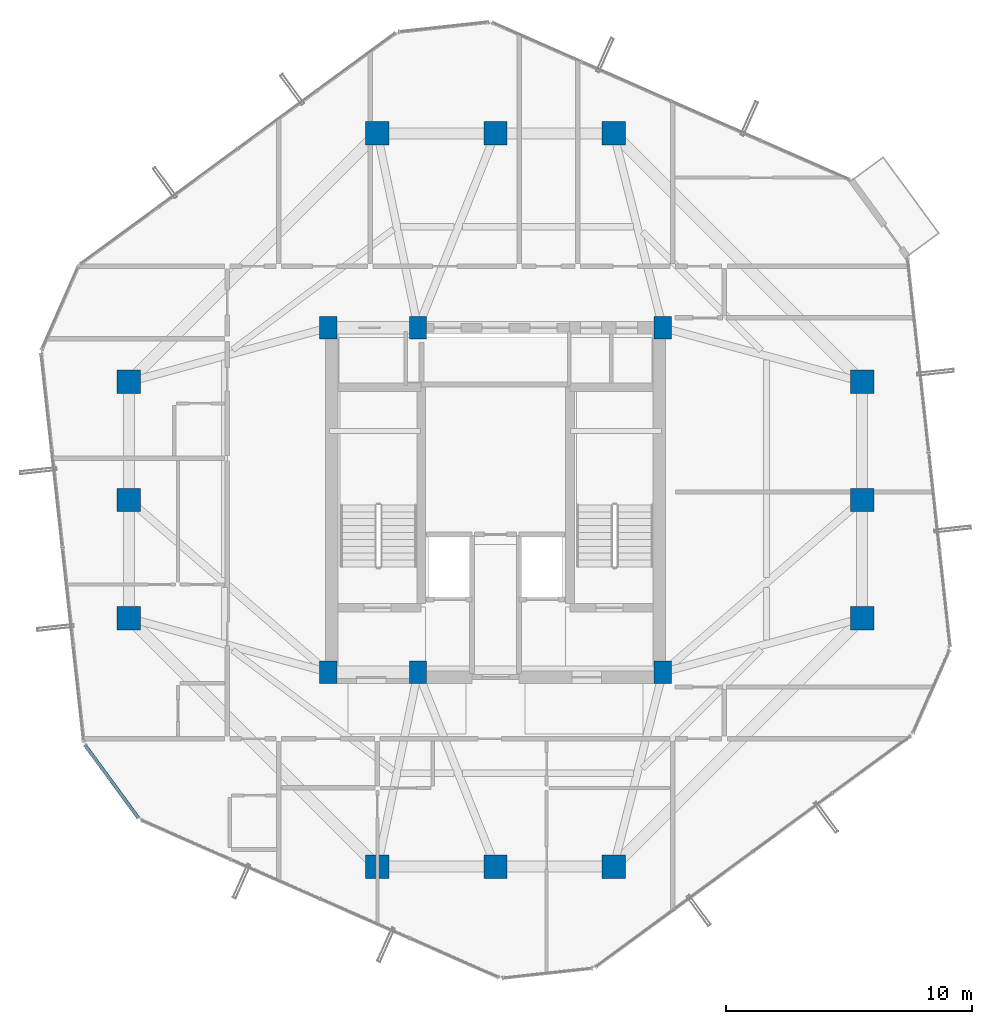
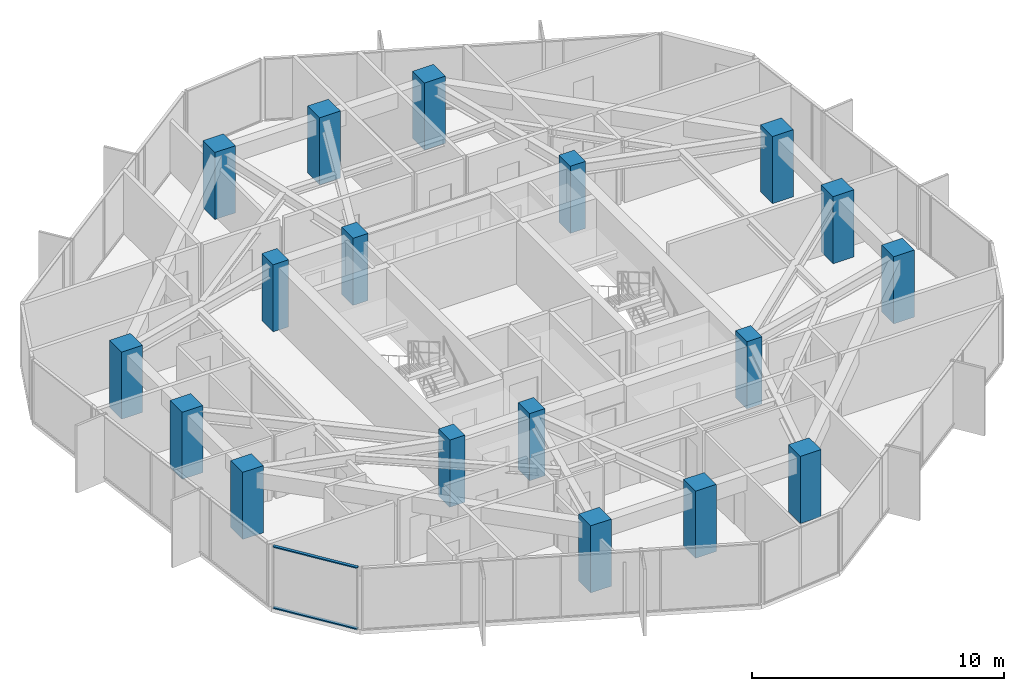
# One storey, part 1 of 32: 18 columns, 2 members, 1 element without a shape of its own.
"""IFC4 building model written with IfcOpenShell, lengths in metres."""

from ifc_helpers import new_model, si_unit, direction, frame, origin, origin_2d, place, context, subcontext, project, spatial, rectangle, hollow_rectangle, extrude, source, transform, mapped, material, layer, layer_set, material_profile, profile_set, type_object, element, aggregate, save


model = new_model("IFC4")

# Units and contexts
model_context = context("Model", 3, precision=1e-05, world=origin(), true_north=direction((0.0, 1.0)))
body_context = subcontext(model_context, "Body", "Model", "MODEL_VIEW")
ifc_project = project(units=[si_unit("LENGTHUNIT", "METRE"), si_unit("AREAUNIT", "SQUARE_METRE"), si_unit("VOLUMEUNIT", "CUBIC_METRE"), si_unit("PLANEANGLEUNIT", "RADIAN"), si_unit("MASSUNIT", "GRAM", prefix="KILO")], contexts=[model_context])

# Site, building, storey
site_placement = place(None, origin())
site = spatial("IfcSite", under=ifc_project, at=site_placement, CompositionType="ELEMENT")
building_placement = place(site_placement, origin())
building = spatial("IfcBuilding", under=site, at=building_placement, Name="Veraguas Prism Commons", CompositionType="ELEMENT")
storey_placement = place(building_placement, frame((0.0, 0.0, 185.35009765625)))
storey = spatial("IfcBuildingStorey", under=building, at=storey_placement, Name="L52", CompositionType="ELEMENT", Elevation=185.35009765625)

# Columns
ifc_material_1 = material(Name="Concrete C50/60", Category="concrete")
ifc_material_profile_1 = material_profile(ifc_material_1, rectangle(XDim=0.949951171875, YDim=0.949951171875, at=origin_2d()), Name="RC950X950")
ifc_profile_set_1 = profile_set([ifc_material_profile_1], Name="Concrete C50/60")
column_type_1 = type_object("IfcColumnType", Name="Column Tube Z3 RC 950x950", PredefinedType="COLUMN", material=ifc_profile_set_1)
for number, where, z_axis, x_axis, name in (
    (1, (38.89990234375, 19.199951171875, 0.0), (0.0, 0.0, 1.0), (1.0, 0.0, 0.0), "Tower Perimeter Column L52-TB01"),
    (2, (38.89990234375, 24.0, 0.0), (0.0, 0.0, 1.0), (1.0, 0.0, 0.0), "Tower Perimeter Column L52-TB02"),
    (3, (38.89990234375, 28.800048828125, 0.0), (0.0, 0.0, 1.0), (1.0, 0.0, 0.0), "Tower Perimeter Column L52-TB03"),
    (4, (28.800048828125, 38.89990234375, 0.0), (0.0, 0.0, 1.0), (1.0, 0.0, 0.0), "Tower Perimeter Column L52-TB04"),
    (5, (24.0, 38.89990234375, 0.0), (0.0, 0.0, 1.0), (1.0, 0.0, 0.0), "Tower Perimeter Column L52-TB05"),
    (6, (19.199951171875, 38.89990234375, 0.0), (0.0, 0.0, 1.0), (1.0, 0.0, 0.0), "Tower Perimeter Column L52-TB06"),
    (7, (9.10009765625, 28.800048828125, 0.0), (0.0, 0.0, 1.0), (1.0, 0.0, 0.0), "Tower Perimeter Column L52-TB07"),
    (8, (9.10009765625, 24.0, 0.0), (0.0, 0.0, 1.0), (1.0, 0.0, 0.0), "Tower Perimeter Column L52-TB08"),
    (9, (9.10009765625, 19.199951171875, 0.0), (0.0, 0.0, 1.0), (1.0, 0.0, 0.0), "Tower Perimeter Column L52-TB09"),
    (10, (19.199951171875, 9.10009765625, 0.0), (0.0, 0.0, 1.0), (1.0, 0.0, 0.0), "Tower Perimeter Column L52-TB10"),
    (11, (24.0, 9.10009765625, 0.0), (0.0, 0.0, 1.0), (1.0, 0.0, 0.0), "Tower Perimeter Column L52-TB11"),
    (12, (28.800048828125, 9.10009765625, 0.0), (0.0, 0.0, 1.0), (1.0, 0.0, 0.0), "Tower Perimeter Column L52-TB12"),
):
    element("IfcColumn", number, at=place(storey_placement, frame(where, z_axis=z_axis, x_axis=x_axis)), inside=storey, type_object=column_type_1, Name=name, PredefinedType="COLUMN", context=body_context, shape_type="SweptSolid", body=[
        extrude(rectangle(XDim=0.949951171875, YDim=0.949951171875, at=origin_2d()), origin(), (0.0, 0.0, 1.0), 3.25),
    ])
ifc_material_profile_2 = material_profile(ifc_material_1, rectangle(XDim=0.699951171875, YDim=0.89990234375, at=origin_2d()), Name="RC700X900")
ifc_profile_set_2 = profile_set([ifc_material_profile_2], Name="Concrete C50/60")
column_type_2 = type_object("IfcColumnType", Name="Pilaster Core Upper RC 700x900", PredefinedType="PILASTER", material=ifc_profile_set_2)
for number, where, z_axis, x_axis, name in (
    (13, (17.199951171875, 17.0, 0.0), (0.0, 0.0, 1.0), (1.0, 0.0, 0.0), "Core Pilaster Column L52-CR1"),
    (14, (20.85009765625, 17.0, 0.0), (0.0, 0.0, 1.0), (1.0, 0.0, 0.0), "Core Pilaster Column L52-CR2"),
    (15, (30.800048828125, 17.0, 0.0), (0.0, 0.0, 1.0), (1.0, 0.0, 0.0), "Core Pilaster Column L52-CR3"),
    (16, (17.199951171875, 31.0, 0.0), (0.0, 0.0, 1.0), (1.0, 0.0, 0.0), "Core Pilaster Column L52-CR4"),
    (17, (20.85009765625, 31.0, 0.0), (0.0, 0.0, 1.0), (1.0, 0.0, 0.0), "Core Pilaster Column L52-CR5"),
    (18, (30.800048828125, 31.0, 0.0), (0.0, 0.0, 1.0), (1.0, 0.0, 0.0), "Core Pilaster Column L52-CR6"),
):
    element("IfcColumn", number, at=place(storey_placement, frame(where, z_axis=z_axis, x_axis=x_axis)), inside=storey, type_object=column_type_2, Name=name, PredefinedType="PILASTER", context=body_context, shape_type="SweptSolid", body=[
        extrude(rectangle(XDim=0.699951171875, YDim=0.89990234375, at=origin_2d()), origin(), (0.0, 0.0, 1.0), 3.25),
    ])

# Curtain wall, members
ifc_material_2 = material(Name="Anodised aluminium EN AW-6063 T6", Category="aluminium")
ifc_layer = layer(ifc_material_2, 0.14990234375, Name="Unitised Flush Curtain Wall Zone 3", Category="aluminium")
ifc_layer_set = layer_set([ifc_layer], Name="Anodised aluminium EN AW-6063 T6")
curtain_wall_type = type_object("IfcCurtainWallType", Name="Unitised Flush Curtain Wall Zone 3", PredefinedType="NOTDEFINED", material=ifc_layer_set)
curtain_wall_placement = place(storey_placement, origin())
curtain_wall = element("IfcCurtainWall", 19, at=curtain_wall_placement, inside=storey, type_object=curtain_wall_type, Name="Chamfer Curtain Wall L52-C4", PredefinedType="NOTDEFINED")
ifc_material_profile_3 = material_profile(ifc_material_2, hollow_rectangle(XDim=0.054931640625, YDim=0.135009765625, WallThickness=0.0029296875, at=origin_2d()), Name="AL55X135X3")
ifc_profile_set_3 = profile_set([ifc_material_profile_3], Name="Anodised aluminium EN AW-6063 T6")
member_type = type_object("IfcMemberType", Name="Curtain Wall Transom Standard AL 55x135x3", PredefinedType="USERDEFINED", material=ifc_profile_set_3)
shared_shape = source(origin(), body_context, "Body", "SweptSolid", [
    extrude(hollow_rectangle(XDim=0.054931640625, YDim=0.135009765625, WallThickness=0.0029296875, at=origin_2d()), origin(), (0.0, 0.0, 1.0), 3.654296875),
])
member_1_placement = place(storey_placement, frame((7.322265625, 14.03271484375, 0.02734375), z_axis=(0.59146792845, -0.80632852462, 0.0), x_axis=(0.0, 0.0, 1.0)))
member_1 = element("IfcMember", 20, at=member_1_placement, type_object=member_type, Name="CW-Z3 Transom 1", ObjectType="TRANSOM", PredefinedType="USERDEFINED", context=body_context, shape_type="MappedRepresentation", body=[
    mapped(shared_shape, transform((0.0, 0.0, 0.0), scale=1.0)),
])
member_2_placement = place(storey_placement, frame((7.322265625, 14.03271484375, 2.9873046875), z_axis=(0.59146792845, -0.80632852462, 0.0), x_axis=(0.0, 0.0, 1.0)))
member_2 = element("IfcMember", 21, at=member_2_placement, type_object=member_type, Name="CW-Z3 Transom 2", ObjectType="TRANSOM", PredefinedType="USERDEFINED", context=body_context, shape_type="MappedRepresentation", body=[
    mapped(shared_shape, transform((0.0, 0.0, 0.0), scale=1.0)),
])
aggregate(curtain_wall, [member_1, member_2])

save(model, "model.ifc")
